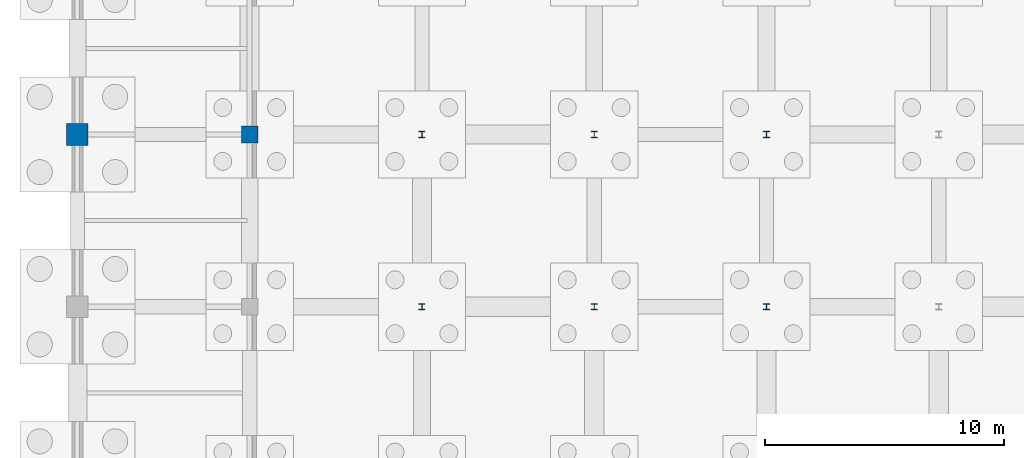
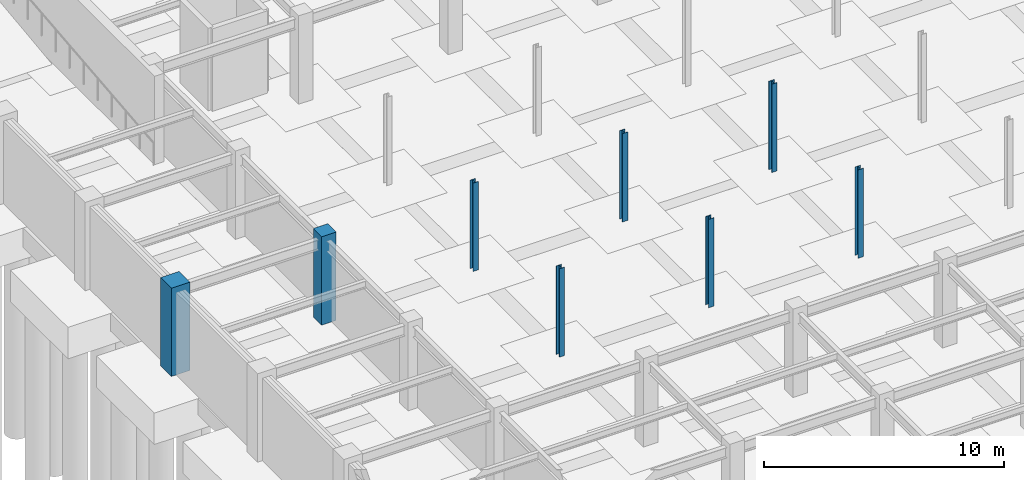
# One storey, part 13 of 48: 8 columns.
"""IFC4 building model written with IfcOpenShell, lengths in metres."""

from ifc_helpers import new_model, si_unit, direction, frame, origin, origin_2d, place, context, subcontext, project, spatial, rectangle, i_section, extrude, material, material_profile, profile_set, type_object, element, save


model = new_model("IFC4")

# Units and contexts
model_context = context("Model", 3, precision=1e-05, world=origin(), true_north=direction((0.0, 1.0)))
body_context = subcontext(model_context, "Body", "Model", "MODEL_VIEW")
ifc_project = project(units=[si_unit("LENGTHUNIT", "METRE"), si_unit("AREAUNIT", "SQUARE_METRE"), si_unit("VOLUMEUNIT", "CUBIC_METRE"), si_unit("PLANEANGLEUNIT", "RADIAN"), si_unit("MASSUNIT", "GRAM", prefix="KILO")], contexts=[model_context])

# Site, building, storey
site_placement = place(None, origin())
site = spatial("IfcSite", under=ifc_project, at=site_placement, CompositionType="ELEMENT")
building_placement = place(site_placement, origin())
building = spatial("IfcBuilding", under=site, at=building_placement, Name="Carrowvane Square Congress Hotel", CompositionType="ELEMENT")
storey_placement = place(building_placement, frame((0.0, 0.0, -4.5)))
storey = spatial("IfcBuildingStorey", under=building, at=storey_placement, Name="B01", CompositionType="ELEMENT", Elevation=-4.5)

# Columns
ifc_material_1 = material(Name="Concrete C40/50", Category="concrete")
ifc_material_profile_1 = material_profile(ifc_material_1, rectangle(XDim=0.699951171875, YDim=0.699951171875, at=origin_2d()), Name="RC 700x700")
ifc_profile_set_1 = profile_set([ifc_material_profile_1], Name="Concrete C40/50")
column_type_1 = type_object("IfcColumnType", Name="COL-RC-700", PredefinedType="COLUMN", material=ifc_profile_set_1)
column_1_placement = place(storey_placement, frame((18.800048828125, 34.199951171875, 0.0), z_axis=(0.0, 0.0, 1.0), x_axis=(1.0, 0.0, 0.0)))
element("IfcColumn", 1, at=column_1_placement, inside=storey, type_object=column_type_1, Name="B01 column 2/E", PredefinedType="COLUMN", context=body_context, shape_type="SweptSolid", body=[
    extrude(rectangle(XDim=0.699951171875, YDim=0.699951171875, at=origin_2d()), origin(), (0.0, 0.0, 1.0), 4.5),
])
ifc_material_2 = material(Name="Steel S355", Category="steel")
ifc_material_profile_2 = material_profile(ifc_material_2, i_section(OverallWidth=0.25634765625, OverallDepth=0.26025390625, WebThickness=0.01025390625, FlangeThickness=0.017333984375, FilletRadius=0.0126953125, at=origin_2d()), Name="UKC 254x254x89")
ifc_profile_set_2 = profile_set([ifc_material_profile_2], Name="Steel S355")
column_type_2 = type_object("IfcColumnType", Name="COL-ST-UKC254", PredefinedType="COLUMN", material=ifc_profile_set_2)
for number, where, z_axis, x_axis, name in (
    (2, (26.0, 27.0, 0.0), (0.0, 0.0, 1.0), (1.0, 0.0, 0.0), "B01 column RK26/RY27"),
    (3, (26.0, 34.199951171875, 0.0), (0.0, 0.0, 1.0), (1.0, 0.0, 0.0), "B01 column RK26/RY34"),
    (4, (33.199951171875, 27.0, 0.0), (0.0, 0.0, 1.0), (1.0, 0.0, 0.0), "B01 column RK33/RY27"),
    (5, (33.199951171875, 34.199951171875, 0.0), (0.0, 0.0, 1.0), (1.0, 0.0, 0.0), "B01 column RK33/RY34"),
    (6, (40.39990234375, 27.0, 0.0), (0.0, 0.0, 1.0), (1.0, 0.0, 0.0), "B01 column RK40/RY27"),
    (7, (40.39990234375, 34.199951171875, 0.0), (0.0, 0.0, 1.0), (1.0, 0.0, 0.0), "B01 column RK40/RY34"),
):
    element("IfcColumn", number, at=place(storey_placement, frame(where, z_axis=z_axis, x_axis=x_axis)), inside=storey, type_object=column_type_2, Name=name, PredefinedType="COLUMN", context=body_context, shape_type="SweptSolid", body=[
        extrude(i_section(OverallWidth=0.25634765625, OverallDepth=0.26025390625, WebThickness=0.01025390625, FlangeThickness=0.017333984375, FilletRadius=0.0126953125, at=origin_2d()), origin(), (0.0, 0.0, 1.0), 4.5),
    ])
ifc_material_3 = material(Name="Concrete C40/50", Category="concrete")
ifc_material_profile_3 = material_profile(ifc_material_3, rectangle(XDim=0.89990234375, YDim=0.89990234375, at=origin_2d()), Name="RC 900x900")
ifc_profile_set_3 = profile_set([ifc_material_profile_3], Name="Concrete C40/50")
column_type_3 = type_object("IfcColumnType", Name="MCOL-RC-900", PredefinedType="COLUMN", material=ifc_profile_set_3)
column_2_placement = place(storey_placement, frame((11.60009765625, 34.199951171875, 0.0), z_axis=(0.0, 0.0, 1.0), x_axis=(1.0, 0.0, 0.0)))
element("IfcColumn", 8, at=column_2_placement, inside=storey, type_object=column_type_3, Name="B01 column 1/E", PredefinedType="COLUMN", context=body_context, shape_type="SweptSolid", body=[
    extrude(rectangle(XDim=0.89990234375, YDim=0.89990234375, at=origin_2d()), origin(), (0.0, 0.0, 1.0), 4.5),
])

save(model, "model.ifc")
